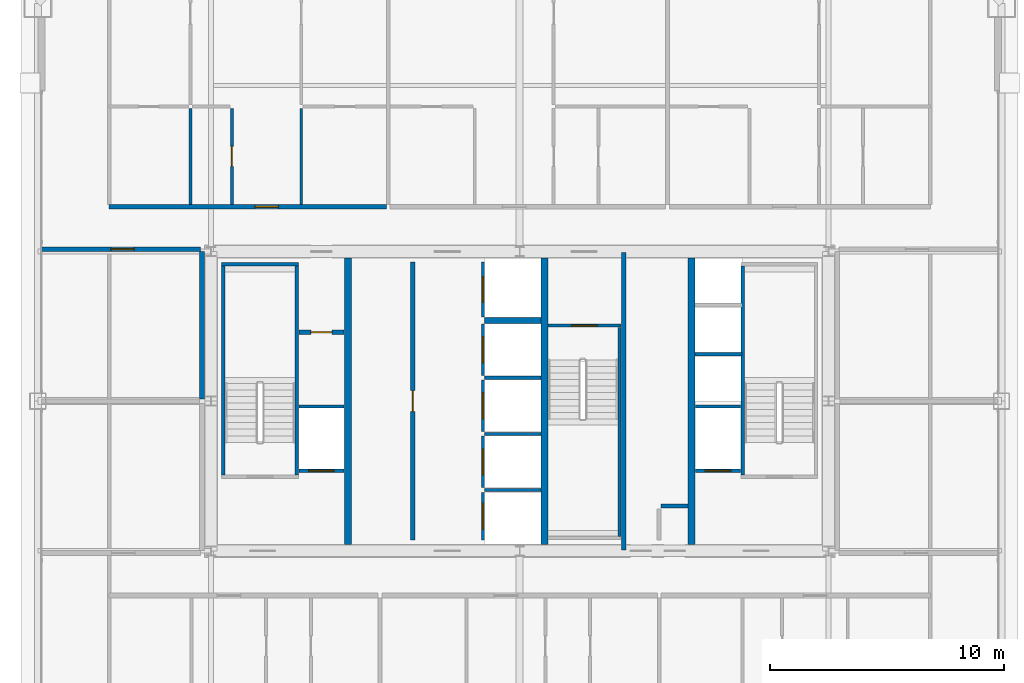
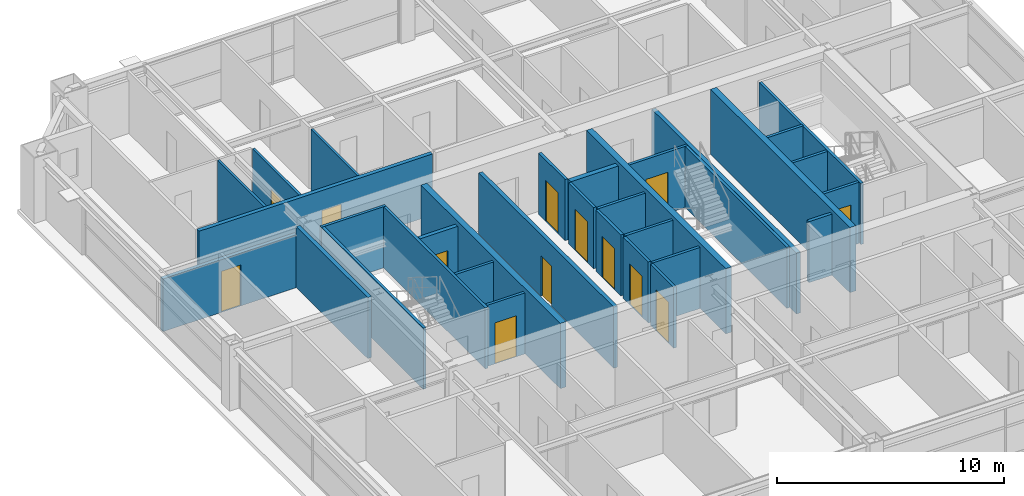
# One storey, part 33 of 37: 33 walls, 13 doors, 13 openings.
"""IFC4 building model written with IfcOpenShell, lengths in metres."""

from ifc_helpers import new_model, si_unit, direction, frame, frame_2d, origin, place, context, subcontext, project, spatial, rectangle, extrude, source, transform, mapped, material, layer, layer_set, type_object, element, fill, save


model = new_model("IFC4")

# Units and contexts
model_context = context("Model", 3, precision=1e-05, world=origin(), true_north=direction((0.0, 1.0)))
body_context = subcontext(model_context, "Body", "Model", "MODEL_VIEW")
ifc_project = project(units=[si_unit("LENGTHUNIT", "METRE"), si_unit("AREAUNIT", "SQUARE_METRE"), si_unit("VOLUMEUNIT", "CUBIC_METRE"), si_unit("PLANEANGLEUNIT", "RADIAN"), si_unit("MASSUNIT", "GRAM", prefix="KILO"), si_unit("THERMODYNAMICTEMPERATUREUNIT", "KELVIN"), si_unit("POWERUNIT", "WATT")], contexts=[model_context])

# Site, building, storey
site_placement = place(None, origin())
site = spatial("IfcSite", under=ifc_project, at=site_placement, CompositionType="ELEMENT")
building_placement = place(site_placement, origin())
building = spatial("IfcBuilding", under=site, at=building_placement, Name="Yuzanri Waterfront Tower", CompositionType="ELEMENT")
storey_placement = place(building_placement, frame((0.0, 0.0, 245.10009765625)))
storey = spatial("IfcBuildingStorey", under=building, at=storey_placement, Name="L65", CompositionType="ELEMENT", Elevation=245.10009765625)

# Wall, opening, door
ifc_material_1 = material(Name="Moisture-Resistant Gypsum Stud Wall", Category="gypsum")
ifc_layer_1 = layer(ifc_material_1, 0.1201171875)
ifc_layer_set_1 = layer_set([ifc_layer_1], Name="Moisture-Resistant Gypsum Stud Wall")
wall_type_1 = type_object("IfcWallType", Name="Bathroom and Kitchen Wet Partition 120", PredefinedType="PARTITIONING", material=ifc_layer_set_1)
wall_1_placement = place(storey_placement, frame((24.693115234375, 34.2099609375, 0.0), z_axis=(0.0, 0.0, 1.0), x_axis=(0.0, 1.0, 0.0)))
wall_1 = element("IfcWall", 1, at=wall_1_placement, inside=storey, type_object=wall_type_1, Name="L65 Partition UW-L65-RN1-SUB-2-E", PredefinedType="PARTITIONING", context=body_context, shape_type="SweptSolid", body=[
    extrude(rectangle(XDim=4.110107421875, YDim=0.1201171875, at=frame_2d((2.05517578125, 0.0))), origin(), (0.0, 0.0, 1.0), 3.27978515625),
])
opening_1_placement = place(wall_1_placement, frame((1.6298828125, 0.0, 0.0)))
opening_1 = element("IfcOpeningElement", 2, at=opening_1_placement, cuts=wall_1, Name="Opening ID-0850", PredefinedType="OPENING", context=body_context, shape_type="SweptSolid", body=[
    extrude(rectangle(XDim=0.85009765625, YDim=2.10009765625, at=frame_2d((0.425048828125, 1.050048828125))), frame((0.0, 0.074951171875, 0.0), z_axis=(0.0, -1.0, 0.0), x_axis=(1.0, 0.0, 0.0)), (0.0, 0.0, 1.0), 0.14990234375),
])
ifc_material_2 = material(Name="Moisture-Resistant Lacquered Timber", Category="wood")
door_type_1 = type_object("IfcDoorType", Name="En-Suite Bathroom and Kitchen Swing Door 850x2100", OperationType="NOTDEFINED", PredefinedType="DOOR", material=ifc_material_2)
shared_shape_1 = source(origin(), body_context, "Body", "SweptSolid", [
    extrude(rectangle(XDim=0.85009765625, YDim=2.10009765625, at=frame_2d((0.425048828125, 1.050048828125))), frame((0.0, 0.02490234375, 0.0), z_axis=(0.0, -1.0, 0.0), x_axis=(1.0, 0.0, 0.0)), (0.0, 0.0, 1.0), 0.050048828125),
])
door_1_placement = place(opening_1_placement, origin())
door_1 = element("IfcDoor", 3, at=door_1_placement, inside=storey, type_object=door_type_1, Name="L65 Suite Interior Room Door", OperationType="SINGLE_SWING_LEFT", OverallHeight=2.10009765625, OverallWidth=0.85009765625, PredefinedType="DOOR", context=body_context, shape_type="MappedRepresentation", body=[
    mapped(shared_shape_1, transform((0.0, 0.0, 0.0), scale=1.0)),
])
fill(opening_1, door_1)

ifc_material_3 = material(Name="Concrete C40", Category="concrete")
ifc_layer_2 = layer(ifc_material_3, 0.139892578125)
ifc_layer_set_2 = layer_set([ifc_layer_2], Name="Concrete C40")
wall_type_2 = type_object("IfcWallType", Name="Core Stair Liner and Hoistway Shaft Wall 140", PredefinedType="SOLIDWALL", material=ifc_layer_set_2)
wall_2_placement = place(storey_placement, frame((27.56005859375, 22.830078125, 0.0), z_axis=(0.0, 0.0, 1.0), x_axis=(1.0, 0.0, 0.0)))
wall_2 = element("IfcWall", 4, at=wall_2_placement, inside=storey, type_object=wall_type_2, Name="L65 Lift FL-01 Front Shaft Wall", PredefinedType="SOLIDWALL", context=body_context, shape_type="SweptSolid", body=[
    extrude(rectangle(XDim=1.919921875, YDim=0.139892578125, at=frame_2d((0.9599609375, 0.0))), origin(), (0.0, 0.0, 1.0), 3.27978515625),
])
opening_2_placement = place(wall_2_placement, frame((0.409912109375, 0.0, 0.0)))
opening_2 = element("IfcOpeningElement", 5, at=opening_2_placement, cuts=wall_2, Name="Opening LD-FL-01", PredefinedType="OPENING", context=body_context, shape_type="SweptSolid", body=[
    extrude(rectangle(XDim=1.10009765625, YDim=2.199951171875, at=frame_2d((0.550048828125, 1.10009765625))), frame((0.0, 0.0849609375, 0.0), z_axis=(0.0, -1.0, 0.0), x_axis=(1.0, 0.0, 0.0)), (0.0, 0.0, 1.0), 0.169677734375),
])
ifc_material_4 = material(Name="Brushed Bronze and Stainless Steel Cab", Category="steel")
door_type_2 = type_object("IfcDoorType", Name="Center-Parting Bronze Lift Landing Sliding Door 1100x2200", OperationType="NOTDEFINED", PredefinedType="DOOR", material=ifc_material_4)
shared_shape_2 = source(origin(), body_context, "Body", "SweptSolid", [
    extrude(rectangle(XDim=1.10009765625, YDim=2.199951171875, at=frame_2d((0.550048828125, 1.10009765625))), frame((0.0, 0.02490234375, 0.0), z_axis=(0.0, -1.0, 0.0), x_axis=(1.0, 0.0, 0.0)), (0.0, 0.0, 1.0), 0.050048828125),
])
door_2_placement = place(opening_2_placement, origin())
door_2 = element("IfcDoor", 6, at=door_2_placement, inside=storey, type_object=door_type_2, Name="L65 FL-01 Lift Landing Sliding Door", OperationType="SLIDING_TO_LEFT", OverallHeight=2.199951171875, OverallWidth=1.10009765625, PredefinedType="DOOR", context=body_context, shape_type="MappedRepresentation", body=[
    mapped(shared_shape_2, transform((0.0, 0.0, 0.0), scale=1.0)),
])
fill(opening_2, door_2)

wall_3_placement = place(storey_placement, frame((44.52001953125, 22.830078125, 0.0), z_axis=(0.0, 0.0, 1.0), x_axis=(1.0, 0.0, 0.0)))
wall_3 = element("IfcWall", 7, at=wall_3_placement, inside=storey, type_object=wall_type_2, Name="L65 Lift FL-02 Front Shaft Wall", PredefinedType="SOLIDWALL", context=body_context, shape_type="SweptSolid", body=[
    extrude(rectangle(XDim=1.919921875, YDim=0.139892578125, at=frame_2d((0.9599609375, 0.0))), origin(), (0.0, 0.0, 1.0), 3.27978515625),
])
opening_3_placement = place(wall_3_placement, frame((0.409912109375, 0.0, 0.0)))
opening_3 = element("IfcOpeningElement", 8, at=opening_3_placement, cuts=wall_3, Name="Opening LD-FL-02", PredefinedType="OPENING", context=body_context, shape_type="SweptSolid", body=[
    extrude(rectangle(XDim=1.10009765625, YDim=2.199951171875, at=frame_2d((0.550048828125, 1.10009765625))), frame((0.0, 0.0849609375, 0.0), z_axis=(0.0, -1.0, 0.0), x_axis=(1.0, 0.0, 0.0)), (0.0, 0.0, 1.0), 0.169677734375),
])
door_3_placement = place(opening_3_placement, origin())
door_3 = element("IfcDoor", 9, at=door_3_placement, inside=storey, type_object=door_type_2, Name="L65 FL-02 Lift Landing Sliding Door", OperationType="SLIDING_TO_RIGHT", OverallHeight=2.199951171875, OverallWidth=1.10009765625, PredefinedType="DOOR", context=body_context, shape_type="MappedRepresentation", body=[
    mapped(shared_shape_2, transform((0.0, 0.0, 0.0), scale=1.0)),
])
fill(opening_3, door_3)

wall_4_placement = place(storey_placement, frame((35.429931640625, 19.860107421875, 0.0), z_axis=(0.0, 0.0, 1.0), x_axis=(0.0, 1.0, 0.0)))
wall_4 = element("IfcWall", 10, at=wall_4_placement, inside=storey, type_object=wall_type_2, Name="L65 Lift PL-05 Front Shaft Wall", PredefinedType="SOLIDWALL", context=body_context, shape_type="SweptSolid", body=[
    extrude(rectangle(XDim=2.039794921875, YDim=0.139892578125, at=frame_2d((1.02001953125, 0.0))), origin(), (0.0, 0.0, 1.0), 3.27978515625),
])
opening_4_placement = place(wall_4_placement, frame((0.469970703125, 0.0, 0.0)))
opening_4 = element("IfcOpeningElement", 11, at=opening_4_placement, cuts=wall_4, Name="Opening LD-PL-05", PredefinedType="OPENING", context=body_context, shape_type="SweptSolid", body=[
    extrude(rectangle(XDim=1.10009765625, YDim=2.199951171875, at=frame_2d((0.550048828125, 1.10009765625))), frame((0.0, 0.0849609375, 0.0), z_axis=(0.0, -1.0, 0.0), x_axis=(1.0, 0.0, 0.0)), (0.0, 0.0, 1.0), 0.169677734375),
])
door_4_placement = place(opening_4_placement, origin())
door_4 = element("IfcDoor", 12, at=door_4_placement, inside=storey, type_object=door_type_2, Name="L65 PL-05 Lift Landing Sliding Door", OperationType="SLIDING_TO_RIGHT", OverallHeight=2.199951171875, OverallWidth=1.10009765625, PredefinedType="DOOR", context=body_context, shape_type="MappedRepresentation", body=[
    mapped(shared_shape_2, transform((0.0, 0.0, 0.0), scale=1.0)),
])
fill(opening_4, door_4)

wall_5_placement = place(storey_placement, frame((35.429931640625, 22.10009765625, 0.0), z_axis=(0.0, 0.0, 1.0), x_axis=(0.0, 1.0, 0.0)))
wall_5 = element("IfcWall", 13, at=wall_5_placement, inside=storey, type_object=wall_type_2, Name="L65 Lift PL-06 Front Shaft Wall", PredefinedType="SOLIDWALL", context=body_context, shape_type="SweptSolid", body=[
    extrude(rectangle(XDim=2.199951171875, YDim=0.139892578125, at=frame_2d((1.10009765625, 0.0))), origin(), (0.0, 0.0, 1.0), 3.27978515625),
])
opening_5_placement = place(wall_5_placement, frame((0.550048828125, 0.0, 0.0)))
opening_5 = element("IfcOpeningElement", 14, at=opening_5_placement, cuts=wall_5, Name="Opening LD-PL-06", PredefinedType="OPENING", context=body_context, shape_type="SweptSolid", body=[
    extrude(rectangle(XDim=1.10009765625, YDim=2.199951171875, at=frame_2d((0.550048828125, 1.10009765625))), frame((0.0, 0.0849609375, 0.0), z_axis=(0.0, -1.0, 0.0), x_axis=(1.0, 0.0, 0.0)), (0.0, 0.0, 1.0), 0.169677734375),
])
door_5_placement = place(opening_5_placement, origin())
door_5 = element("IfcDoor", 15, at=door_5_placement, inside=storey, type_object=door_type_2, Name="L65 PL-06 Lift Landing Sliding Door", OperationType="SLIDING_TO_LEFT", OverallHeight=2.199951171875, OverallWidth=1.10009765625, PredefinedType="DOOR", context=body_context, shape_type="MappedRepresentation", body=[
    mapped(shared_shape_2, transform((0.0, 0.0, 0.0), scale=1.0)),
])
fill(opening_5, door_5)

wall_6_placement = place(storey_placement, frame((35.429931640625, 24.5, 0.0), z_axis=(0.0, 0.0, 1.0), x_axis=(0.0, 1.0, 0.0)))
wall_6 = element("IfcWall", 16, at=wall_6_placement, inside=storey, type_object=wall_type_2, Name="L65 Lift PL-07 Front Shaft Wall", PredefinedType="SOLIDWALL", context=body_context, shape_type="SweptSolid", body=[
    extrude(rectangle(XDim=2.199951171875, YDim=0.139892578125, at=frame_2d((1.10009765625, 0.0))), origin(), (0.0, 0.0, 1.0), 3.27978515625),
])
opening_6_placement = place(wall_6_placement, frame((0.550048828125, 0.0, 0.0)))
opening_6 = element("IfcOpeningElement", 17, at=opening_6_placement, cuts=wall_6, Name="Opening LD-PL-07", PredefinedType="OPENING", context=body_context, shape_type="SweptSolid", body=[
    extrude(rectangle(XDim=1.10009765625, YDim=2.199951171875, at=frame_2d((0.550048828125, 1.10009765625))), frame((0.0, 0.0849609375, 0.0), z_axis=(0.0, -1.0, 0.0), x_axis=(1.0, 0.0, 0.0)), (0.0, 0.0, 1.0), 0.169677734375),
])
door_6_placement = place(opening_6_placement, origin())
door_6 = element("IfcDoor", 18, at=door_6_placement, inside=storey, type_object=door_type_2, Name="L65 PL-07 Lift Landing Sliding Door", OperationType="SLIDING_TO_RIGHT", OverallHeight=2.199951171875, OverallWidth=1.10009765625, PredefinedType="DOOR", context=body_context, shape_type="MappedRepresentation", body=[
    mapped(shared_shape_2, transform((0.0, 0.0, 0.0), scale=1.0)),
])
fill(opening_6, door_6)

wall_7_placement = place(storey_placement, frame((35.429931640625, 26.89990234375, 0.0), z_axis=(0.0, 0.0, 1.0), x_axis=(0.0, 1.0, 0.0)))
wall_7 = element("IfcWall", 19, at=wall_7_placement, inside=storey, type_object=wall_type_2, Name="L65 Lift PL-08 Front Shaft Wall", PredefinedType="SOLIDWALL", context=body_context, shape_type="SweptSolid", body=[
    extrude(rectangle(XDim=2.2001953125, YDim=0.139892578125, at=frame_2d((1.10009765625, 0.0))), origin(), (0.0, 0.0, 1.0), 3.27978515625),
])
opening_7_placement = place(wall_7_placement, frame((0.550048828125, 0.0, 0.0)))
opening_7 = element("IfcOpeningElement", 20, at=opening_7_placement, cuts=wall_7, Name="Opening LD-PL-08", PredefinedType="OPENING", context=body_context, shape_type="SweptSolid", body=[
    extrude(rectangle(XDim=1.10009765625, YDim=2.199951171875, at=frame_2d((0.550048828125, 1.10009765625))), frame((0.0, 0.0849609375, 0.0), z_axis=(0.0, -1.0, 0.0), x_axis=(1.0, 0.0, 0.0)), (0.0, 0.0, 1.0), 0.169677734375),
])
door_7_placement = place(opening_7_placement, origin())
door_7 = element("IfcDoor", 21, at=door_7_placement, inside=storey, type_object=door_type_2, Name="L65 PL-08 Lift Landing Sliding Door", OperationType="SLIDING_TO_LEFT", OverallHeight=2.199951171875, OverallWidth=1.10009765625, PredefinedType="DOOR", context=body_context, shape_type="MappedRepresentation", body=[
    mapped(shared_shape_2, transform((0.0, 0.0, 0.0), scale=1.0)),
])
fill(opening_7, door_7)

wall_8_placement = place(storey_placement, frame((35.429931640625, 29.39990234375, 0.0), z_axis=(0.0, 0.0, 1.0), x_axis=(0.0, 1.0, 0.0)))
wall_8 = element("IfcWall", 22, at=wall_8_placement, inside=storey, type_object=wall_type_2, Name="L65 Lift SL-02 Front Shaft Wall", PredefinedType="SOLIDWALL", context=body_context, shape_type="SweptSolid", body=[
    extrude(rectangle(XDim=2.340087890625, YDim=0.139892578125, at=frame_2d((1.169921875, 0.0))), origin(), (0.0, 0.0, 1.0), 3.27978515625),
])
opening_8_placement = place(wall_8_placement, frame((0.6201171875, 0.0, 0.0)))
opening_8 = element("IfcOpeningElement", 23, at=opening_8_placement, cuts=wall_8, Name="Opening LD-SL-02", PredefinedType="OPENING", context=body_context, shape_type="SweptSolid", body=[
    extrude(rectangle(XDim=1.10009765625, YDim=2.199951171875, at=frame_2d((0.550048828125, 1.10009765625))), frame((0.0, 0.0849609375, 0.0), z_axis=(0.0, -1.0, 0.0), x_axis=(1.0, 0.0, 0.0)), (0.0, 0.0, 1.0), 0.169677734375),
])
door_8_placement = place(opening_8_placement, origin())
door_8 = element("IfcDoor", 24, at=door_8_placement, inside=storey, type_object=door_type_2, Name="L65 SL-02 Lift Landing Sliding Door", OperationType="SLIDING_TO_RIGHT", OverallHeight=2.199951171875, OverallWidth=1.10009765625, PredefinedType="DOOR", context=body_context, shape_type="MappedRepresentation", body=[
    mapped(shared_shape_2, transform((0.0, 0.0, 0.0), scale=1.0)),
])
fill(opening_8, door_8)

wall_9_placement = place(storey_placement, frame((38.199951171875, 29.030029296875, 0.0), z_axis=(0.0, 0.0, 1.0), x_axis=(1.0, 0.0, 0.0)))
wall_9 = element("IfcWall", 25, at=wall_9_placement, inside=storey, type_object=wall_type_2, Name="L65 Shaft Wall STW-L65-ST-03-N", PredefinedType="SOLIDWALL", context=body_context, shape_type="SweptSolid", body=[
    extrude(rectangle(XDim=3.14013671875, YDim=0.139892578125, at=frame_2d((1.570068359375, 0.0))), origin(), (0.0, 0.0, 1.0), 3.27978515625),
])
opening_9_placement = place(wall_9_placement, frame((1.02001953125, 0.0, 0.0)))
opening_9 = element("IfcOpeningElement", 26, at=opening_9_placement, cuts=wall_9, Name="Opening FD-1100", PredefinedType="OPENING", context=body_context, shape_type="SweptSolid", body=[
    extrude(rectangle(XDim=1.10009765625, YDim=2.199951171875, at=frame_2d((0.550048828125, 1.10009765625))), frame((0.0, 0.0849609375, 0.0), z_axis=(0.0, -1.0, 0.0), x_axis=(1.0, 0.0, 0.0)), (0.0, 0.0, 1.0), 0.169677734375),
])
ifc_material_5 = material(Name="Painted Galvanized Fire Steel", Category="steel")
door_type_3 = type_object("IfcDoorType", Name="Smoke-Proof Stair and Lobby Fire Door 1100x2200", OperationType="NOTDEFINED", PredefinedType="DOOR", material=ifc_material_5)
shared_shape_3 = source(origin(), body_context, "Body", "SweptSolid", [
    extrude(rectangle(XDim=1.10009765625, YDim=2.199951171875, at=frame_2d((0.550048828125, 1.10009765625))), frame((0.0, 0.02490234375, 0.0), z_axis=(0.0, -1.0, 0.0), x_axis=(1.0, 0.0, 0.0)), (0.0, 0.0, 1.0), 0.050048828125),
])
door_9_placement = place(opening_9_placement, origin())
door_9 = element("IfcDoor", 27, at=door_9_placement, inside=storey, type_object=door_type_3, Name="L65 Stair ST-03 Fire Door", OperationType="SINGLE_SWING_RIGHT", OverallHeight=2.199951171875, OverallWidth=1.10009765625, PredefinedType="DOOR", context=body_context, shape_type="MappedRepresentation", body=[
    mapped(shared_shape_3, transform((0.0, 0.0, 0.0), scale=1.0)),
])
fill(opening_9, door_9)

ifc_material_6 = material(Name="Autoclaved Aerated Concrete Blockwork", Category="masonry")
ifc_layer_3 = layer(ifc_material_6, 0.199951171875)
ifc_layer_set_3 = layer_set([ifc_layer_3], Name="Autoclaved Aerated Concrete Blockwork")
wall_type_3 = type_object("IfcWallType", Name="Corridor and Unit Party Fire Wall 200", PredefinedType="PARTITIONING", material=ifc_layer_set_3)
wall_10_placement = place(storey_placement, frame((27.56005859375, 28.75, 0.0), z_axis=(0.0, 0.0, 1.0), x_axis=(1.0, 0.0, 0.0)))
wall_10 = element("IfcWall", 28, at=wall_10_placement, inside=storey, type_object=wall_type_3, Name="L65 Partition CRW-L65-ERTR", PredefinedType="PARTITIONING", context=body_context, shape_type="SweptSolid", body=[
    extrude(rectangle(XDim=1.919921875, YDim=0.199951171875, at=frame_2d((0.9599609375, 0.0))), origin(), (0.0, 0.0, 1.0), 3.27978515625),
])
opening_10_placement = place(wall_10_placement, frame((0.510009765625, 0.0, 0.0)))
opening_10 = element("IfcOpeningElement", 29, at=opening_10_placement, cuts=wall_10, Name="Opening FD-0900", PredefinedType="OPENING", context=body_context, shape_type="SweptSolid", body=[
    extrude(rectangle(XDim=0.89990234375, YDim=2.14990234375, at=frame_2d((0.449951171875, 1.074951171875))), frame((0.0, 0.11474609375, 0.0), z_axis=(0.0, -1.0, 0.0), x_axis=(1.0, 0.0, 0.0)), (0.0, 0.0, 1.0), 0.229736328125),
])
ifc_material_7 = material(Name="Painted Galvanized Fire Steel", Category="steel")
door_type_4 = type_object("IfcDoorType", Name="Riser and Service Room Fire Door 900x2150", OperationType="NOTDEFINED", PredefinedType="DOOR", material=ifc_material_7)
shared_shape_4 = source(origin(), body_context, "Body", "SweptSolid", [
    extrude(rectangle(XDim=0.89990234375, YDim=2.14990234375, at=frame_2d((0.449951171875, 1.074951171875))), frame((0.0, 0.02490234375, 0.0), z_axis=(0.0, -1.0, 0.0), x_axis=(1.0, 0.0, 0.0)), (0.0, 0.0, 1.0), 0.050048828125),
])
door_10_placement = place(opening_10_placement, origin())
door_10 = element("IfcDoor", 30, at=door_10_placement, inside=storey, type_object=door_type_4, Name="L65 Electrical Riser Door", OperationType="SINGLE_SWING_LEFT", OverallHeight=2.14990234375, OverallWidth=0.89990234375, PredefinedType="DOOR", context=body_context, shape_type="MappedRepresentation", body=[
    mapped(shared_shape_4, transform((0.0, 0.0, 0.0), scale=1.0)),
])
fill(opening_10, door_10)

wall_11_placement = place(storey_placement, frame((32.419921875, 19.860107421875, 0.0), z_axis=(0.0, 0.0, 1.0), x_axis=(0.0, 1.0, 0.0)))
wall_11 = element("IfcWall", 31, at=wall_11_placement, inside=storey, type_object=wall_type_3, Name="L65 Partition CRW-L65-B1R-1", PredefinedType="PARTITIONING", context=body_context, shape_type="SweptSolid", body=[
    extrude(rectangle(XDim=11.8798828125, YDim=0.199951171875, at=frame_2d((5.93994140625, 0.0))), origin(), (0.0, 0.0, 1.0), 3.27978515625),
])
opening_11_placement = place(wall_11_placement, frame((5.489990234375, 0.0, 0.0)))
opening_11 = element("IfcOpeningElement", 32, at=opening_11_placement, cuts=wall_11, Name="Opening FD-0900", PredefinedType="OPENING", context=body_context, shape_type="SweptSolid", body=[
    extrude(rectangle(XDim=0.89990234375, YDim=2.14990234375, at=frame_2d((0.449951171875, 1.074951171875))), frame((0.0, 0.11474609375, 0.0), z_axis=(0.0, -1.0, 0.0), x_axis=(1.0, 0.0, 0.0)), (0.0, 0.0, 1.0), 0.229736328125),
])
door_11_placement = place(opening_11_placement, origin())
door_11 = element("IfcDoor", 33, at=door_11_placement, inside=storey, type_object=door_type_4, Name="L65 Private Store Room", OperationType="SINGLE_SWING_RIGHT", OverallHeight=2.14990234375, OverallWidth=0.89990234375, PredefinedType="DOOR", context=body_context, shape_type="MappedRepresentation", body=[
    mapped(shared_shape_4, transform((0.0, 0.0, 0.0), scale=1.0)),
])
fill(opening_11, door_11)

wall_12_placement = place(storey_placement, frame((19.43994140625, 34.110107421875, 0.0), z_axis=(0.0, 0.0, 1.0), x_axis=(1.0, 0.0, 0.0)))
wall_12 = element("IfcWall", 34, at=wall_12_placement, inside=storey, type_object=wall_type_3, Name="L65 Partition UW-L65-RN1-CS", PredefinedType="PARTITIONING", context=body_context, shape_type="SweptSolid", body=[
    extrude(rectangle(XDim=11.861083984375, YDim=0.199951171875, at=frame_2d((5.9306640625, 0.0))), origin(), (0.0, 0.0, 1.0), 3.27978515625),
])
opening_12_placement = place(wall_12_placement, frame((6.238037109375, 0.0, 0.0)))
opening_12 = element("IfcOpeningElement", 35, at=opening_12_placement, cuts=wall_12, Name="Opening FD-1000", PredefinedType="OPENING", context=body_context, shape_type="SweptSolid", body=[
    extrude(rectangle(XDim=1.0, YDim=2.199951171875, at=frame_2d((0.5, 1.10009765625))), frame((0.0, 0.11474609375, 0.0), z_axis=(0.0, -1.0, 0.0), x_axis=(1.0, 0.0, 0.0)), (0.0, 0.0, 1.0), 0.229736328125),
])
ifc_material_8 = material(Name="Engineered Oak Fire-Rated Timber", Category="wood")
door_type_5 = type_object("IfcDoorType", Name="Guestroom and Apartment Entrance Fire Door 1000x2200", OperationType="NOTDEFINED", PredefinedType="DOOR", material=ifc_material_8)
shared_shape_5 = source(origin(), body_context, "Body", "SweptSolid", [
    extrude(rectangle(XDim=1.0, YDim=2.199951171875, at=frame_2d((0.5, 1.10009765625))), frame((0.0, 0.02490234375, 0.0), z_axis=(0.0, -1.0, 0.0), x_axis=(1.0, 0.0, 0.0)), (0.0, 0.0, 1.0), 0.050048828125),
])
door_12_placement = place(opening_12_placement, origin())
door_12 = element("IfcDoor", 36, at=door_12_placement, inside=storey, type_object=door_type_5, Name="L65 Apartment Living and Dining Salon Entrance Door", OperationType="SINGLE_SWING_LEFT", OverallHeight=2.199951171875, OverallWidth=1.0, PredefinedType="DOOR", context=body_context, shape_type="MappedRepresentation", body=[
    mapped(shared_shape_5, transform((0.0, 0.0, 0.0), scale=1.0)),
])
fill(opening_12, door_12)

wall_13_placement = place(storey_placement, frame((16.550048828125, 32.2900390625, 0.0), z_axis=(0.0, 0.0, 1.0), x_axis=(1.0, 0.0, 0.0)))
wall_13 = element("IfcWall", 37, at=wall_13_placement, inside=storey, type_object=wall_type_3, Name="L65 Partition UW-L65-048-CN", PredefinedType="PARTITIONING", context=body_context, shape_type="SweptSolid", body=[
    extrude(rectangle(XDim=6.800048828125, YDim=0.199951171875, at=frame_2d((3.39990234375, 0.0))), origin(), (0.0, 0.0, 1.0), 2.824951171875),
])
opening_13_placement = place(wall_13_placement, frame((2.965087890625, 0.0, 0.0)))
opening_13 = element("IfcOpeningElement", 38, at=opening_13_placement, cuts=wall_13, Name="Opening FD-1000", PredefinedType="OPENING", context=body_context, shape_type="SweptSolid", body=[
    extrude(rectangle(XDim=1.0, YDim=2.199951171875, at=frame_2d((0.5, 1.10009765625))), frame((0.0, 0.11474609375, 0.0), z_axis=(0.0, -1.0, 0.0), x_axis=(1.0, 0.0, 0.0)), (0.0, 0.0, 1.0), 0.229736328125),
])
door_13_placement = place(opening_13_placement, origin())
door_13 = element("IfcDoor", 39, at=door_13_placement, inside=storey, type_object=door_type_5, Name="L65 Residents W Executive Office 2 Entrance Door", OperationType="SINGLE_SWING_RIGHT", OverallHeight=2.199951171875, OverallWidth=1.0, PredefinedType="DOOR", context=body_context, shape_type="MappedRepresentation", body=[
    mapped(shared_shape_5, transform((0.0, 0.0, 0.0), scale=1.0)),
])
fill(opening_13, door_13)

# Walls
ifc_material_9 = material(Name="Concrete C50", Category="concrete")
ifc_layer_4 = layer(ifc_material_9, 0.300048828125)
ifc_layer_set_4 = layer_set([ifc_layer_4], Name="Concrete C50")
wall_type_4 = type_object("IfcWallType", Name="Concrete C50 Internal Core Shaft Structural Wall 300", PredefinedType="SOLIDWALL", material=ifc_layer_set_4)
shared_shape_6 = source(origin(), body_context, "Body", "SweptSolid", [
    extrude(rectangle(XDim=12.25, YDim=0.300048828125, at=frame_2d((6.125, 0.0))), origin(), (0.0, 0.0, 1.0), 3.5),
])
for number, where, z_axis, x_axis, name in (
    (40, (29.64990234375, 19.675048828125, 0.0), (0.0, 0.0, 1.0), (0.0, 1.0, 0.0), "L65 Core Internal Structural Web Wall 1"),
    (41, (38.050048828125, 19.675048828125, 0.0), (0.0, 0.0, 1.0), (0.0, 1.0, 0.0), "L65 Core Internal Structural Web Wall 2"),
    (42, (44.35009765625, 19.675048828125, 0.0), (0.0, 0.0, 1.0), (0.0, 1.0, 0.0), "L65 Core Internal Structural Web Wall 3"),
):
    element("IfcWall", number, at=place(storey_placement, frame(where, z_axis=z_axis, x_axis=x_axis)), inside=storey, type_object=wall_type_4, Name=name, PredefinedType="SOLIDWALL", context=body_context, shape_type="MappedRepresentation", body=[
        mapped(shared_shape_6, transform((0.0, 0.0, 0.0), scale=1.0)),
    ])
shared_shape_7 = source(origin(), body_context, "Body", "SweptSolid", [
    extrude(rectangle(XDim=1.919921875, YDim=0.139892578125, at=frame_2d((0.9599609375, 0.0))), origin(), (0.0, 0.0, 1.0), 3.27978515625),
])
for number, where, z_axis, x_axis, name in (
    (43, (27.56005859375, 25.570068359375, 0.0), (0.0, 0.0, 1.0), (1.0, 0.0, 0.0), "L65 Lift FL-01 Back Shaft Wall"),
    (44, (44.52001953125, 25.570068359375, 0.0), (0.0, 0.0, 1.0), (1.0, 0.0, 0.0), "L65 Lift FL-02 Back Shaft Wall"),
):
    element("IfcWall", number, at=place(storey_placement, frame(where, z_axis=z_axis, x_axis=x_axis)), inside=storey, type_object=wall_type_2, Name=name, PredefinedType="SOLIDWALL", context=body_context, shape_type="MappedRepresentation", body=[
        mapped(shared_shape_7, transform((0.0, 0.0, 0.0), scale=1.0)),
    ])
shared_shape_8 = source(origin(), body_context, "Body", "SweptSolid", [
    extrude(rectangle(XDim=2.39990234375, YDim=0.139892578125, at=frame_2d((1.199951171875, 0.0))), origin(), (0.0, 0.0, 1.0), 3.27978515625),
])
for number, where, z_axis, x_axis, name in (
    (45, (35.5, 22.0, 0.0), (0.0, 0.0, 1.0), (1.0, 0.0, 0.0), "L65 Lift PL-05 Divider Wall"),
    (46, (35.5, 24.39990234375, 0.0), (0.0, 0.0, 1.0), (1.0, 0.0, 0.0), "L65 Lift PL-06 Divider Wall"),
    (47, (35.5, 26.800048828125, 0.0), (0.0, 0.0, 1.0), (1.0, 0.0, 0.0), "L65 Lift PL-07 Divider Wall"),
):
    element("IfcWall", number, at=place(storey_placement, frame(where, z_axis=z_axis, x_axis=x_axis)), inside=storey, type_object=wall_type_2, Name=name, PredefinedType="SOLIDWALL", context=body_context, shape_type="MappedRepresentation", body=[
        mapped(shared_shape_8, transform((0.0, 0.0, 0.0), scale=1.0)),
    ])
ifc_material_10 = material(Name="Concrete C40", Category="concrete")
ifc_layer_5 = layer(ifc_material_10, 0.25)
ifc_layer_set_5 = layer_set([ifc_layer_5], Name="Concrete C40")
wall_type_5 = type_object("IfcWallType", Name="Smoke-Proof Stair and Lift Shaft Wall 250", PredefinedType="SOLIDWALL", material=ifc_layer_set_5)
shared_shape_9 = source(origin(), body_context, "Body", "SweptSolid", [
    extrude(rectangle(XDim=2.39990234375, YDim=0.25, at=frame_2d((1.199951171875, 0.0))), origin(), (0.0, 0.0, 1.0), 3.27978515625),
])
wall_14_placement = place(storey_placement, frame((35.5, 29.25, 0.0), z_axis=(0.0, 0.0, 1.0), x_axis=(1.0, 0.0, 0.0)))
element("IfcWall", 48, at=wall_14_placement, inside=storey, type_object=wall_type_5, Name="L65 Lift SL-02 South Shaft Wall", PredefinedType="SOLIDWALL", context=body_context, shape_type="MappedRepresentation", body=[
    mapped(shared_shape_9, transform((0.0, 0.0, 0.0), scale=1.0)),
])
shared_shape_10 = source(origin(), body_context, "Body", "SweptSolid", [
    extrude(rectangle(XDim=2.0, YDim=0.139892578125, at=frame_2d((1.0, 0.0))), origin(), (0.0, 0.0, 1.0), 3.27978515625),
])
wall_15_placement = place(storey_placement, frame((44.5, 27.800048828125, 0.0), z_axis=(0.0, 0.0, 1.0), x_axis=(1.0, 0.0, 0.0)))
element("IfcWall", 49, at=wall_15_placement, inside=storey, type_object=wall_type_2, Name="L65 Lift PL-09 Divider Wall", PredefinedType="SOLIDWALL", context=body_context, shape_type="MappedRepresentation", body=[
    mapped(shared_shape_10, transform((0.0, 0.0, 0.0), scale=1.0)),
])
shared_shape_11 = source(origin(), body_context, "Body", "SweptSolid", [
    extrude(rectangle(XDim=3.280029296875, YDim=0.139892578125, at=frame_2d((1.64013671875, 0.0))), origin(), (0.0, 0.0, 1.0), 3.27978515625),
])
wall_16_placement = place(storey_placement, frame((24.260009765625, 31.64990234375, 0.0), z_axis=(0.0, 0.0, 1.0), x_axis=(1.0, 0.0, 0.0)))
element("IfcWall", 50, at=wall_16_placement, inside=storey, type_object=wall_type_2, Name="L65 Stair ST-01 North Shaft Wall", PredefinedType="SOLIDWALL", context=body_context, shape_type="MappedRepresentation", body=[
    mapped(shared_shape_11, transform((0.0, 0.0, 0.0), scale=1.0)),
])
shared_shape_12 = source(origin(), body_context, "Body", "SweptSolid", [
    extrude(rectangle(XDim=8.940185546875, YDim=0.139892578125, at=frame_2d((4.47021484375, 0.0))), origin(), (0.0, 0.0, 1.0), 3.27978515625),
])
for number, where, z_axis, x_axis, name in (
    (51, (24.330078125, 22.639892578125, 0.0), (0.0, 0.0, 1.0), (0.0, 1.0, 0.0), "L65 Stair ST-01 West Shaft Wall"),
    (52, (27.469970703125, 22.639892578125, 0.0), (0.0, 0.0, 1.0), (0.0, 1.0, 0.0), "L65 Stair ST-01 East Shaft Wall"),
    (53, (46.530029296875, 22.639892578125, 0.0), (0.0, 0.0, 1.0), (0.0, 1.0, 0.0), "L65 Stair ST-02 West Shaft Wall"),
):
    element("IfcWall", number, at=place(storey_placement, frame(where, z_axis=z_axis, x_axis=x_axis)), inside=storey, type_object=wall_type_2, Name=name, PredefinedType="SOLIDWALL", context=body_context, shape_type="MappedRepresentation", body=[
        mapped(shared_shape_12, transform((0.0, 0.0, 0.0), scale=1.0)),
    ])
shared_shape_13 = source(origin(), body_context, "Body", "SweptSolid", [
    extrude(rectangle(XDim=8.93994140625, YDim=0.139892578125, at=frame_2d((4.469970703125, 0.0))), origin(), (0.0, 0.0, 1.0), 3.27978515625),
])
wall_17_placement = place(storey_placement, frame((41.27001953125, 20.02001953125, 0.0), z_axis=(0.0, 0.0, 1.0), x_axis=(0.0, 1.0, 0.0)))
element("IfcWall", 54, at=wall_17_placement, inside=storey, type_object=wall_type_2, Name="L65 Stair ST-03 East Shaft Wall", PredefinedType="SOLIDWALL", context=body_context, shape_type="MappedRepresentation", body=[
    mapped(shared_shape_13, transform((0.0, 0.0, 0.0), scale=1.0)),
])
ifc_material_11 = material(Name="Gypsum Fireboard Acoustic Stud Wall", Category="gypsum")
ifc_layer_6 = layer(ifc_material_11, 0.159912109375)
ifc_layer_set_6 = layer_set([ifc_layer_6], Name="Gypsum Fireboard Acoustic Stud Wall")
wall_type_6 = type_object("IfcWallType", Name="Acoustic Suite Demising Partition 160", PredefinedType="PARTITIONING", material=ifc_layer_set_6)
shared_shape_14 = source(origin(), body_context, "Body", "SweptSolid", [
    extrude(rectangle(XDim=1.169921875, YDim=0.159912109375, at=frame_2d((0.5849609375, 0.0))), origin(), (0.0, 0.0, 1.0), 3.27978515625),
])
wall_18_placement = place(storey_placement, frame((43.030029296875, 21.320068359375, 0.0), z_axis=(0.0, 0.0, 1.0), x_axis=(1.0, 0.0, 0.0)))
element("IfcWall", 55, at=wall_18_placement, inside=storey, type_object=wall_type_6, Name="L65 East Wet Riser North Wall", PredefinedType="PARTITIONING", context=body_context, shape_type="MappedRepresentation", body=[
    mapped(shared_shape_14, transform((0.0, 0.0, 0.0), scale=1.0)),
])
shared_shape_15 = source(origin(), body_context, "Body", "SweptSolid", [
    extrude(rectangle(XDim=12.719970703125, YDim=0.199951171875, at=frame_2d((6.35986328125, 0.0))), origin(), (0.0, 0.0, 1.0), 3.27978515625),
])
wall_19_placement = place(storey_placement, frame((41.449951171875, 19.43994140625, 0.0), z_axis=(0.0, 0.0, 1.0), x_axis=(0.0, 1.0, 0.0)))
element("IfcWall", 56, at=wall_19_placement, inside=storey, type_object=wall_type_3, Name="L65 Core BOH West Wall 1", PredefinedType="PARTITIONING", context=body_context, shape_type="MappedRepresentation", body=[
    mapped(shared_shape_15, transform((0.0, 0.0, 0.0), scale=1.0)),
])
shared_shape_16 = source(origin(), body_context, "Body", "SweptSolid", [
    extrude(rectangle(XDim=6.2900390625, YDim=0.199951171875, at=frame_2d((3.14501953125, 0.0))), origin(), (0.0, 0.0, 1.0), 3.27978515625),
])
wall_20_placement = place(storey_placement, frame((23.419921875, 25.89990234375, 0.0), z_axis=(0.0, 0.0, 1.0), x_axis=(0.0, 1.0, 0.0)))
element("IfcWall", 57, at=wall_20_placement, inside=storey, type_object=wall_type_3, Name="L65-048 Wing Inner Core-Side Wall", PredefinedType="PARTITIONING", context=body_context, shape_type="MappedRepresentation", body=[
    mapped(shared_shape_16, transform((0.0, 0.0, 0.0), scale=1.0)),
])
shared_shape_17 = source(origin(), body_context, "Body", "SweptSolid", [
    extrude(rectangle(XDim=4.110107421875, YDim=0.1201171875, at=frame_2d((2.05517578125, 0.0))), origin(), (0.0, 0.0, 1.0), 3.27978515625),
])
for number, where, z_axis, x_axis, name in (
    (58, (22.919921875, 34.2099609375, 0.0), (0.0, 0.0, 1.0), (0.0, 1.0, 0.0), "L65 Partition UW-L65-RN1-SUB-1-E"),
    (59, (27.6630859375, 34.2099609375, 0.0), (0.0, 0.0, 1.0), (0.0, 1.0, 0.0), "L65 Partition UW-L65-RN1-SUB-3-W"),
):
    element("IfcWall", number, at=place(storey_placement, frame(where, z_axis=z_axis, x_axis=x_axis)), inside=storey, type_object=wall_type_1, Name=name, PredefinedType="PARTITIONING", context=body_context, shape_type="MappedRepresentation", body=[
        mapped(shared_shape_17, transform((0.0, 0.0, 0.0), scale=1.0)),
    ])

save(model, "model.ifc")
